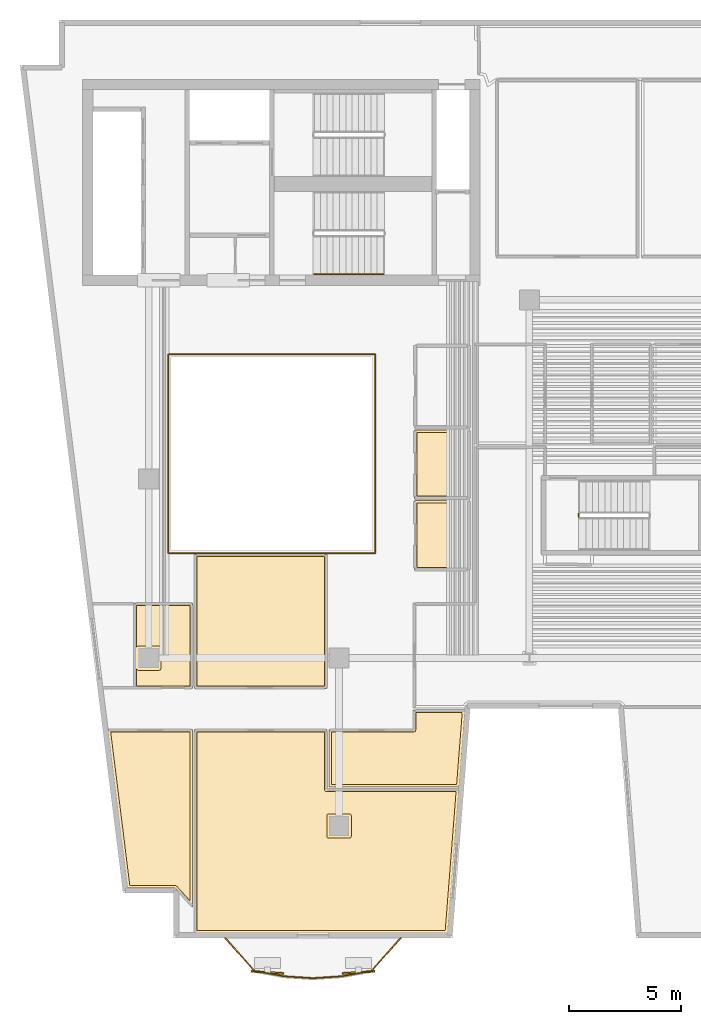
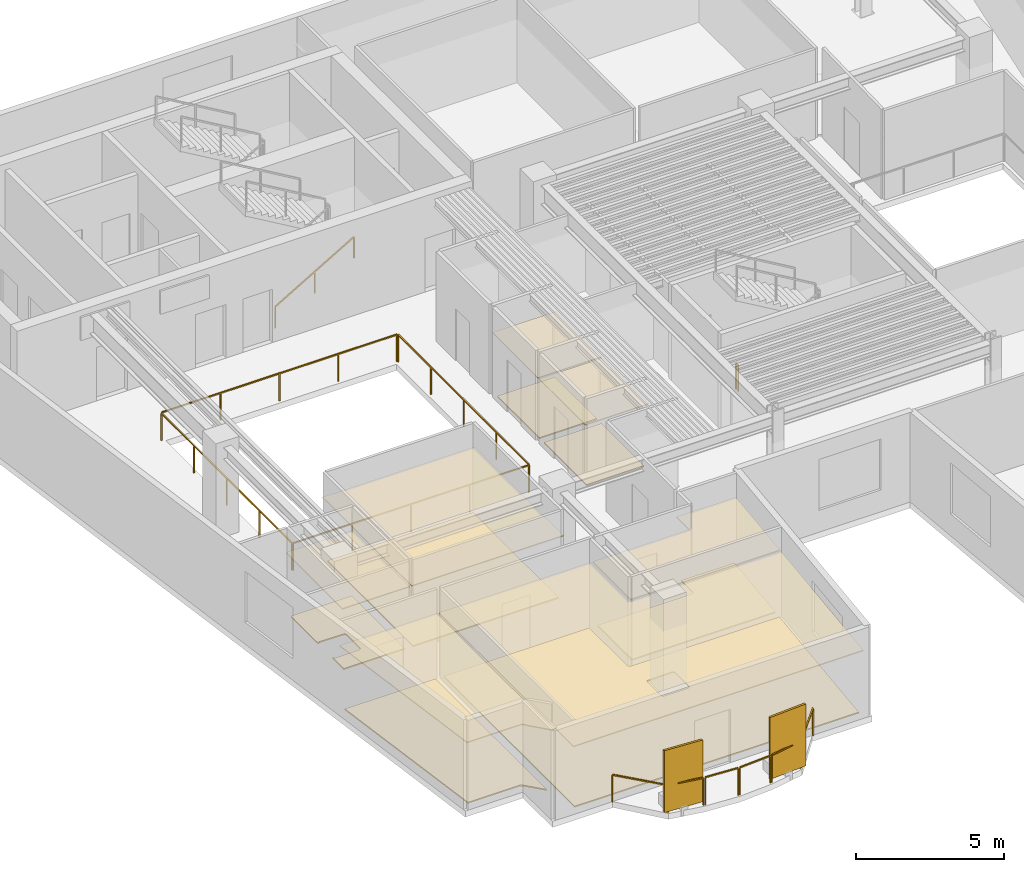
# One storey, part 7 of 9: 14 coverings, 12 railings, 2 shading devices.
"""IFC4 building model written with IfcOpenShell, lengths in metres."""

import ifcopenshell
import ifcopenshell.guid

model = None  # the IFC model being written
_history = None  # IfcOwnerHistory: only IFC2X3 demands one
_inside = {}  # id of a spatial element -> (the spatial element, [elements in it])
_under = {}  # id of a project, library or spatial element -> (it, [spatial elements below it])
_declared = {}  # id of a project -> (the project, [libraries it declares])
_typed = {}  # id of a type object -> (the type object, [elements of that type])
_made_of = {}  # id of a material, layer set ... -> (it, [elements and type objects made of it])


def new_model(schema):
    """Start an empty IFC model of exactly this schema.

    Asked for "IFC4X3", IfcOpenShell would pick the latest addendum, in which some entities
    have other attributes; the version numbers below select the first issue.
    IFC2X3 requires an IfcOwnerHistory on every rooted entity: one is made here for all.
    """
    global model, _history
    if schema == "IFC4X3":
        model = ifcopenshell.file(schema_version=(4, 3, 0, 0))
    else:
        model = ifcopenshell.file(schema=schema)
    _inside.clear()
    _under.clear()
    _declared.clear()
    _typed.clear()
    _made_of.clear()
    _history = None
    if model.schema == "IFC2X3":
        org = make("IfcOrganization", Name="unknown")
        user = make(
            "IfcPersonAndOrganization",
            ThePerson=make("IfcPerson", FamilyName="unknown"),
            TheOrganization=org,
        )
        app = make(
            "IfcApplication",
            ApplicationDeveloper=org,
            Version="unknown",
            ApplicationFullName="unknown",
            ApplicationIdentifier="unknown",
        )
        _history = make(
            "IfcOwnerHistory",
            OwningUser=user,
            OwningApplication=app,
            ChangeAction="ADDED",
            CreationDate=0,
        )
    return model


def make(cls, **values):
    """One entity of the class cls with the attributes given. An attribute that is None is left unset."""
    return model.create_entity(
        cls, **{name: value for name, value in values.items() if value is not None}
    )


def rooted(cls, **values):
    """An entity with a GlobalId (a new one), such as an element, a storey or a relation."""
    return make(cls, GlobalId=ifcopenshell.guid.new(), OwnerHistory=_history, **values)


def si_unit(unit_type, name, prefix=None):
    """IfcSIUnit, for example si_unit("LENGTHUNIT", "METRE", prefix="MILLI")."""
    return make("IfcSIUnit", UnitType=unit_type, Prefix=prefix, Name=name)


def assignment(units):
    """IfcUnitAssignment: the units of a project."""
    return None if units is None else make("IfcUnitAssignment", Units=units)


def point(xyz):
    """IfcCartesianPoint."""
    return None if xyz is None else make("IfcCartesianPoint", Coordinates=xyz)


def direction(xyz):
    """IfcDirection."""
    return None if xyz is None else make("IfcDirection", DirectionRatios=xyz)


def frame(location, z_axis=None, x_axis=None):
    """IfcAxis2Placement3D, a coordinate frame: its origin and axes. An axis left out is left unset."""
    return make(
        "IfcAxis2Placement3D",
        Location=point(location),
        Axis=direction(z_axis),
        RefDirection=direction(x_axis),
    )


def frame_2d(location, x_axis=None):
    """IfcAxis2Placement2D, a coordinate frame in the plane: its origin and x axis."""
    return make(
        "IfcAxis2Placement2D", Location=point(location), RefDirection=direction(x_axis)
    )


def origin():
    """The frame at (0, 0, 0) with its axes left unset."""
    return frame((0.0, 0.0, 0.0))


def origin_2d():
    """The frame at (0, 0) in the plane with its x axis left unset."""
    return frame_2d((0.0, 0.0))


def place(relative_to, where):
    """IfcLocalPlacement: puts the frame where relative to a parent placement (None: the world)."""
    return make(
        "IfcLocalPlacement", PlacementRelTo=relative_to, RelativePlacement=where
    )


def context(
    kind, dimensions, precision=None, world=None, true_north=None, identifier=None
):
    """IfcGeometricRepresentationContext, for example the 3D "Model" context."""
    return make(
        "IfcGeometricRepresentationContext",
        ContextIdentifier=identifier,
        ContextType=kind,
        CoordinateSpaceDimension=dimensions,
        Precision=precision,
        WorldCoordinateSystem=world,
        TrueNorth=true_north,
    )


def subcontext(parent, identifier, kind, view, scale=None):
    """IfcGeometricRepresentationSubContext, for example "Body" below "Model"."""
    return make(
        "IfcGeometricRepresentationSubContext",
        ContextIdentifier=identifier,
        ContextType=kind,
        ParentContext=parent,
        TargetScale=scale,
        TargetView=view,
    )


def project(units=None, contexts=None):
    """IfcProject with its units and contexts."""
    return rooted(
        "IfcProject",
        Name="project",
        RepresentationContexts=contexts,
        UnitsInContext=assignment(units),
    )


def spatial(cls, under=None, at=None, **own):
    """A site, building, storey or space (cls), placed at a placement, below another one or the project."""
    s = rooted(cls, ObjectPlacement=at, **own)
    if under is not None:
        _under.setdefault(under.id(), (under, []))[1].append(s)
    return s


def polyline(points):
    """IfcPolyline through the points."""
    return make("IfcPolyline", Points=[point(p) for p in points])


def profile(cls, at=None, kind="AREA", **sizes):
    """A parametric profile (cls). Its sizes go by their IFC names, for example OverallWidth=200.0."""
    return make(cls, ProfileType=kind, Position=at, **sizes)


def rectangle(**sizes):
    """IfcRectangleProfileDef."""
    return profile("IfcRectangleProfileDef", **sizes)


def outline(outer, holes=None, kind="AREA"):
    """IfcArbitraryClosedProfileDef: a profile drawn as a closed curve; with holes, ...WithVoids."""
    if holes is None:
        return make("IfcArbitraryClosedProfileDef", ProfileType=kind, OuterCurve=outer)
    return make(
        "IfcArbitraryProfileDefWithVoids",
        ProfileType=kind,
        OuterCurve=outer,
        InnerCurves=holes,
    )


def extrude(swept, where, along, depth):
    """IfcExtrudedAreaSolid: the profile swept, set in the frame where, extruded along a direction by depth."""
    return make(
        "IfcExtrudedAreaSolid",
        SweptArea=swept,
        Position=where,
        ExtrudedDirection=direction(along),
        Depth=depth,
    )


def shape(context_of_items, identifier, shape_type, items):
    """IfcShapeRepresentation: the items that make up one representation, for example the "Body"."""
    return make(
        "IfcShapeRepresentation",
        ContextOfItems=context_of_items,
        RepresentationIdentifier=identifier,
        RepresentationType=shape_type,
        Items=items,
    )


def material(Name=None, Category=None):
    """IfcMaterial."""
    return make("IfcMaterial", Name=Name, Category=Category)


def layer(
    of_material, thickness, ventilated=None, Name=None, Category=None, Priority=None
):
    """IfcMaterialLayer: one layer of a wall or slab, of a material (None: an air gap)."""
    return make(
        "IfcMaterialLayer",
        Material=of_material,
        LayerThickness=thickness,
        IsVentilated=ventilated,
        Name=Name,
        Category=Category,
        Priority=Priority,
    )


def layer_set(layers, Name=None):
    """IfcMaterialLayerSet."""
    return make("IfcMaterialLayerSet", MaterialLayers=layers, LayerSetName=Name)


def made_of(thing, what):
    """Note that an element or type object is made of a material, layer set ...; save() writes the relation."""
    if what is not None:
        _made_of.setdefault(what.id(), (what, []))[1].append(thing)
    return thing


def type_object(cls, material=None, **own):
    """A type object (cls), such as IfcWallType, which elements share."""
    return made_of(rooted(cls, **own), material)


def element(
    cls,
    number,
    at=None,
    inside=None,
    cuts=None,
    type_object=None,
    material=None,
    context=None,
    identifier="Body",
    shape_type=None,
    held_by="IfcProductDefinitionShape",
    body=None,
    shapes=None,
    **own,
):
    """One element of the class cls, such as IfcWall. Its Tag is "e" and its number.

    at: its placement. inside: the storey or other place that contains it. cuts: it is an
    opening in that element (IfcRelVoidsElement). A single representation is given by context,
    identifier, shape_type and body (its items); several are given by shapes. held_by: the class
    of the entity that holds the representations. save() writes the other relations.
    """
    e = rooted(cls, Tag="e%d" % number, ObjectPlacement=at, **own)
    if body is not None:
        shapes = [shape(context, identifier, shape_type, body)]
    if shapes is not None:
        e.Representation = make(held_by, Representations=shapes)
    if inside is not None:
        _inside.setdefault(inside.id(), (inside, []))[1].append(e)
    if cuts is not None:
        rooted(
            "IfcRelVoidsElement", RelatingBuildingElement=cuts, RelatedOpeningElement=e
        )
    if type_object is not None:
        _typed.setdefault(type_object.id(), (type_object, []))[1].append(e)
    return made_of(e, material)


def aggregate(whole, parts):
    """IfcRelAggregates: a whole, such as a stair, and the parts it consists of."""
    return rooted("IfcRelAggregates", RelatingObject=whole, RelatedObjects=parts)


def save(model, path):
    """Write the relations noted so far, then the file.

    IfcRelAggregates (storeys below a building ...), IfcRelContainedInSpatialStructure (elements
    in a storey), IfcRelDefinesByType, IfcRelAssociatesMaterial and IfcRelDeclares: one each for
    every whole, place, type object, material and project.
    """
    for whole, parts in _under.values():
        aggregate(whole, parts)
    for where, things in _inside.values():
        rooted(
            "IfcRelContainedInSpatialStructure",
            RelatedElements=things,
            RelatingStructure=where,
        )
    for kind, things in _typed.values():
        rooted("IfcRelDefinesByType", RelatedObjects=things, RelatingType=kind)
    for what, things in _made_of.values():
        rooted("IfcRelAssociatesMaterial", RelatedObjects=things, RelatingMaterial=what)
    for by, libraries in _declared.values():
        rooted("IfcRelDeclares", RelatingContext=by, RelatedDefinitions=libraries)
    model.write(path)


model = new_model("IFC4")

# Units and contexts
model_context = context("Model", 3, precision=1e-05, world=origin(), true_north=direction((0.0, 1.0)))
body_context = subcontext(model_context, "Body", "Model", "MODEL_VIEW")
ifc_project = project(units=[si_unit("LENGTHUNIT", "METRE"), si_unit("AREAUNIT", "SQUARE_METRE"), si_unit("VOLUMEUNIT", "CUBIC_METRE"), si_unit("PLANEANGLEUNIT", "RADIAN"), si_unit("MASSUNIT", "GRAM", prefix="KILO")], contexts=[model_context])

# Site, building, storey
site_placement = place(None, origin())
site = spatial("IfcSite", under=ifc_project, at=site_placement, CompositionType="ELEMENT")
building_placement = place(site_placement, origin())
building = spatial("IfcBuilding", under=site, at=building_placement, Name="Caeloran Harvest Quay", CompositionType="ELEMENT")
storey_placement = place(building_placement, frame((0.0, 0.0, 227.199951171875)))
storey = spatial("IfcBuildingStorey", under=building, at=storey_placement, Name="L54", CompositionType="ELEMENT", Elevation=227.199951171875)

# Coverings
ifc_material_1 = material(Name="Perforated Mineral-Fibre Acoustic Ceiling Tile", Category="ceiling")
ifc_layer_1 = layer(ifc_material_1, 0.0400390625, Name="Perforated Mineral-Fibre Acoustic Ceiling Tile")
ifc_layer_set_1 = layer_set([ifc_layer_1], Name="Perforated Mineral-Fibre Acoustic Ceiling Tile")
covering_type_1 = type_object("IfcCoveringType", Name="COV-CEILING-ACOUSTIC", PredefinedType="CEILING", material=ifc_layer_set_1)
covering_1_placement = place(storey_placement, frame((0.0, 0.0, 2.60009765625)))
element("IfcCovering", 1, at=covering_1_placement, inside=storey, type_object=covering_type_1, Name="L54 Female Washroom WC Acoustic Ceiling", PredefinedType="CEILING", context=body_context, shape_type="SweptSolid", body=[
    extrude(outline(polyline([(22.840087890625, 25.18994140625), (22.840087890625, 22.110107421875), (20.360107421875, 22.110107421875), (20.360107421875, 25.18994140625), (22.840087890625, 25.18994140625)])), origin(), (0.0, 0.0, 1.0), 0.0400390625),
])
covering_2_placement = place(storey_placement, frame((0.0, 0.0, 2.60009765625)))
element("IfcCovering", 2, at=covering_2_placement, inside=storey, type_object=covering_type_1, Name="L54 Accessible Unisex Washroom WC Acoustic Ceiling", PredefinedType="CEILING", context=body_context, shape_type="SweptSolid", body=[
    extrude(outline(polyline([(22.840087890625, 22.0400390625), (22.840087890625, 18.919921875), (20.360107421875, 18.919921875), (20.360107421875, 22.0400390625), (22.840087890625, 22.0400390625)])), origin(), (0.0, 0.0, 1.0), 0.0400390625),
])
covering_3_placement = place(storey_placement, frame((0.0, 0.0, 2.60009765625)))
element("IfcCovering", 3, at=covering_3_placement, inside=storey, type_object=covering_type_1, Name="Clean-Tech Venture Studio Acoustic Ceiling", PredefinedType="CEILING", context=body_context, shape_type="SweptSolid", body=[
    extrude(outline(polyline([(16.4599609375, 11.81005859375), (16.4599609375, 9.159912109375), (22.356201171875, 9.159912109375), (21.853515625, 2.719970703125), (10.5400390625, 2.719970703125), (10.5400390625, 11.81005859375), (16.4599609375, 11.81005859375)])), origin(), (0.0, 0.0, 1.0), 0.0400390625),
])
covering_4_placement = place(storey_placement, frame((0.0, 0.0, 2.60009765625)))
element("IfcCovering", 4, at=covering_4_placement, inside=storey, type_object=covering_type_1, Name="Portfolio Catering Kitchen Acoustic Ceiling", PredefinedType="CEILING", context=body_context, shape_type="SweptSolid", body=[
    extrude(outline(polyline([(10.4599609375, 11.81005859375), (10.4599609375, 3.851806640625), (9.812744140625, 4.56591796875), (9.77294921875, 4.639404296875), (9.673095703125, 4.719970703125), (7.54833984375, 4.719970703125), (6.666015625, 11.81005859375), (10.4599609375, 11.81005859375)])), origin(), (0.0, 0.0, 1.0), 0.0400390625),
])
covering_5_placement = place(storey_placement, frame((0.0, 0.0, 2.60009765625)))
element("IfcCovering", 5, at=covering_5_placement, inside=storey, type_object=covering_type_1, Name="Due-Diligence Meeting Hall Acoustic Ceiling", PredefinedType="CEILING", context=body_context, shape_type="SweptSolid", body=[
    extrude(outline(polyline([(20.31005859375, 11.81005859375), (20.31005859375, 12.679931640625), (22.630859375, 12.679931640625), (22.3623046875, 9.239990234375), (16.5400390625, 9.239990234375), (16.5400390625, 11.81005859375), (20.31005859375, 11.81005859375)])), origin(), (0.0, 0.0, 1.0), 0.0400390625),
])
covering_6_placement = place(storey_placement, frame((0.0, 0.0, 2.60009765625)))
element("IfcCovering", 6, at=covering_6_placement, inside=storey, type_object=covering_type_1, Name="General Partner Corner Office Acoustic Ceiling", PredefinedType="CEILING", context=body_context, shape_type="SweptSolid", body=[
    extrude(outline(polyline([(7.840087890625, 13.639892578125), (7.840087890625, 17.4599609375), (10.4599609375, 17.4599609375), (10.4599609375, 13.639892578125), (7.840087890625, 13.639892578125)])), origin(), (0.0, 0.0, 1.0), 0.0400390625),
])
covering_7_placement = place(storey_placement, frame((0.0, 0.0, 2.60009765625)))
element("IfcCovering", 7, at=covering_7_placement, inside=storey, type_object=covering_type_1, Name="Board Conference Room Acoustic Ceiling", PredefinedType="CEILING", context=body_context, shape_type="SweptSolid", body=[
    extrude(outline(polyline([(16.4599609375, 19.659912109375), (16.4599609375, 13.639892578125), (10.5400390625, 13.639892578125), (10.5400390625, 19.659912109375), (16.4599609375, 19.659912109375)])), origin(), (0.0, 0.0, 1.0), 0.0400390625),
])
ifc_material_2 = material(Name="Calcium-Sulphate Raised Access Floor and Terrazzo Finish", Category="flooring")
ifc_layer_2 = layer(ifc_material_2, 0.050048828125, Name="Calcium-Sulphate Raised Access Floor and Terrazzo Finish")
ifc_layer_set_2 = layer_set([ifc_layer_2], Name="Calcium-Sulphate Raised Access Floor and Terrazzo Finish")
covering_type_2 = type_object("IfcCoveringType", Name="COV-FLOOR-RAISED", PredefinedType="FLOORING", material=ifc_layer_set_2)
covering_8_placement = place(storey_placement, origin())
element("IfcCovering", 8, at=covering_8_placement, inside=storey, type_object=covering_type_2, Name="L54 Female Washroom WC Raised Finish Flooring", PredefinedType="FLOORING", context=body_context, shape_type="SweptSolid", body=[
    extrude(outline(polyline([(22.719970703125, 25.070068359375), (22.719970703125, 22.22998046875), (20.47998046875, 22.22998046875), (20.47998046875, 25.070068359375), (22.719970703125, 25.070068359375)])), origin(), (0.0, 0.0, 1.0), 0.050048828125),
])
covering_9_placement = place(storey_placement, origin())
element("IfcCovering", 9, at=covering_9_placement, inside=storey, type_object=covering_type_2, Name="L54 Accessible Unisex Washroom WC Raised Finish Flooring", PredefinedType="FLOORING", context=body_context, shape_type="SweptSolid", body=[
    extrude(outline(polyline([(22.719970703125, 21.919921875), (22.719970703125, 19.0400390625), (20.47998046875, 19.0400390625), (20.47998046875, 21.919921875), (22.719970703125, 21.919921875)])), origin(), (0.0, 0.0, 1.0), 0.050048828125),
])
covering_10_placement = place(storey_placement, origin())
element("IfcCovering", 10, at=covering_10_placement, inside=storey, type_object=covering_type_2, Name="Clean-Tech Venture Studio Raised Finish Flooring", PredefinedType="FLOORING", context=body_context, shape_type="SweptSolid", body=[
    extrude(outline(polyline([(10.659912109375, 11.68994140625), (16.340087890625, 11.68994140625), (16.340087890625, 9.1201171875), (16.404296875, 9.04150390625), (22.226318359375, 9.0400390625), (21.742431640625, 2.840087890625), (10.659912109375, 2.840087890625), (10.659912109375, 11.68994140625)]), holes=[polyline([(17.465087890625, 8.044921875), (16.484130859375, 8.02685546875), (16.455322265625, 7.972900390625), (16.455078125, 7.034912109375), (16.478515625, 6.978515625), (16.534912109375, 6.955078125), (17.465087890625, 6.955078125), (17.521484375, 6.978515625), (17.544921875, 7.034912109375), (17.544921875, 7.965087890625), (17.521484375, 8.021484375), (17.465087890625, 8.044921875)])]), origin(), (0.0, 0.0, 1.0), 0.050048828125),
])
covering_11_placement = place(storey_placement, origin())
element("IfcCovering", 11, at=covering_11_placement, inside=storey, type_object=covering_type_2, Name="Portfolio Catering Kitchen Raised Finish Flooring", PredefinedType="FLOORING", context=body_context, shape_type="SweptSolid", body=[
    extrude(outline(polyline([(9.76220703125, 4.80029296875), (9.69091796875, 4.840087890625), (7.654296875, 4.840087890625), (6.8017578125, 11.68994140625), (10.340087890625, 11.68994140625), (10.340087890625, 4.162841796875), (9.76220703125, 4.80029296875)])), origin(), (0.0, 0.0, 1.0), 0.050048828125),
])
covering_12_placement = place(storey_placement, origin())
element("IfcCovering", 12, at=covering_12_placement, inside=storey, type_object=covering_type_2, Name="Due-Diligence Meeting Hall Raised Finish Flooring", PredefinedType="FLOORING", context=body_context, shape_type="SweptSolid", body=[
    extrude(outline(polyline([(20.34814453125, 11.693603515625), (20.402587890625, 11.727294921875), (20.4296875, 11.793212890625), (20.429931640625, 12.56005859375), (22.501220703125, 12.56005859375), (22.25146484375, 9.360107421875), (16.659912109375, 9.360107421875), (16.659912109375, 11.68994140625), (20.34814453125, 11.693603515625)])), origin(), (0.0, 0.0, 1.0), 0.050048828125),
])
covering_13_placement = place(storey_placement, origin())
element("IfcCovering", 13, at=covering_13_placement, inside=storey, type_object=covering_type_2, Name="General Partner Corner Office Raised Finish Flooring", PredefinedType="FLOORING", context=body_context, shape_type="SweptSolid", body=[
    extrude(outline(polyline([(7.9599609375, 14.50732421875), (8.027099609375, 14.455322265625), (8.965087890625, 14.455078125), (9.021484375, 14.478515625), (9.044921875, 14.534912109375), (9.044921875, 15.465087890625), (9.015869140625, 15.52685546875), (8.034912109375, 15.544921875), (7.9599609375, 15.49267578125), (7.9599609375, 17.340087890625), (10.340087890625, 17.340087890625), (10.340087890625, 13.760009765625), (7.9599609375, 13.760009765625), (7.9599609375, 14.50732421875)])), origin(), (0.0, 0.0, 1.0), 0.050048828125),
])
covering_14_placement = place(storey_placement, origin())
element("IfcCovering", 14, at=covering_14_placement, inside=storey, type_object=covering_type_2, Name="Board Conference Room Raised Finish Flooring", PredefinedType="FLOORING", context=body_context, shape_type="SweptSolid", body=[
    extrude(outline(polyline([(16.340087890625, 19.5400390625), (16.340087890625, 13.760009765625), (10.659912109375, 13.760009765625), (10.659912109375, 19.5400390625), (16.340087890625, 19.5400390625)])), origin(), (0.0, 0.0, 1.0), 0.050048828125),
])

# Railings
ifc_material_3 = material(Name="Powder-Coated Steel Post and Laminated Glass Guardrail", Category="steel")
ifc_layer_3 = layer(ifc_material_3, 0.06005859375, Name="Powder-Coated Steel Post and Laminated Glass Guardrail")
ifc_layer_set_3 = layer_set([ifc_layer_3], Name="Powder-Coated Steel Post and Laminated Glass Guardrail")
railing_type_1 = type_object("IfcRailingType", Name="GUARD-ATRIUM-1150", PredefinedType="GUARDRAIL", material=ifc_layer_set_3)
railing_1_placement = place(storey_placement, frame((9.412109375, 19.679931640625, 0.0)))
element("IfcRailing", 15, at=railing_1_placement, inside=storey, type_object=railing_type_1, Name="L54 Skylit Atrium Void Perimeter Guardrail Seg 1", PredefinedType="GUARDRAIL", context=body_context, shape_type="SweptSolid", body=[
    extrude(rectangle(XDim=0.048095703125, YDim=0.048095703125, at=origin_2d()), frame((0.0, 0.0, 1.1259765625), z_axis=(1.0, 0.0, 0.0), x_axis=(0.0, 1.0, 0.0)), (0.0, 0.0, 1.0), 9.17578125),
    extrude(rectangle(XDim=0.0419921875, YDim=0.0419921875, at=origin_2d()), origin(), (0.0, 0.0, 1.0), 1.101806640625),
    extrude(rectangle(XDim=0.0419921875, YDim=0.0419921875, at=origin_2d()), frame((2.2939453125, 0.0, 0.0)), (0.0, 0.0, 1.0), 1.101806640625),
    extrude(rectangle(XDim=0.0419921875, YDim=0.0419921875, at=origin_2d()), frame((4.587890625, 0.0, 0.0)), (0.0, 0.0, 1.0), 1.101806640625),
    extrude(rectangle(XDim=0.0419921875, YDim=0.0419921875, at=origin_2d()), frame((6.8818359375, 0.0, 0.0)), (0.0, 0.0, 1.0), 1.101806640625),
    extrude(rectangle(XDim=0.0419921875, YDim=0.0419921875, at=origin_2d()), frame((9.17578125, 0.0, 0.0)), (0.0, 0.0, 1.0), 1.101806640625),
])
railing_2_placement = place(storey_placement, frame((18.6201171875, 19.7119140625, 0.0)))
element("IfcRailing", 16, at=railing_2_placement, inside=storey, type_object=railing_type_1, Name="L54 Skylit Atrium Void Perimeter Guardrail Seg 2", PredefinedType="GUARDRAIL", context=body_context, shape_type="SweptSolid", body=[
    extrude(rectangle(XDim=0.048095703125, YDim=0.048095703125, at=origin_2d()), frame((0.0, 0.0, 1.1259765625), z_axis=(0.0, 1.0, 0.0), x_axis=(-1.0, 0.0, 0.0)), (0.0, 0.0, 1.0), 8.826171875),
    extrude(rectangle(XDim=0.0419921875, YDim=0.0419921875, at=origin_2d()), origin(), (0.0, 0.0, 1.0), 1.101806640625),
    extrude(rectangle(XDim=0.0419921875, YDim=0.0419921875, at=origin_2d()), frame((0.0, 2.20654296875, 0.0)), (0.0, 0.0, 1.0), 1.101806640625),
    extrude(rectangle(XDim=0.0419921875, YDim=0.0419921875, at=origin_2d()), frame((0.0, 4.4130859375, 0.0)), (0.0, 0.0, 1.0), 1.101806640625),
    extrude(rectangle(XDim=0.0419921875, YDim=0.0419921875, at=origin_2d()), frame((0.0, 6.61962890625, 0.0)), (0.0, 0.0, 1.0), 1.101806640625),
    extrude(rectangle(XDim=0.0419921875, YDim=0.0419921875, at=origin_2d()), frame((0.0, 8.826171875, 0.0)), (0.0, 0.0, 1.0), 1.101806640625),
])
railing_3_placement = place(storey_placement, frame((18.587890625, 28.570068359375, 0.0)))
element("IfcRailing", 17, at=railing_3_placement, inside=storey, type_object=railing_type_1, Name="L54 Skylit Atrium Void Perimeter Guardrail Seg 3", PredefinedType="GUARDRAIL", context=body_context, shape_type="SweptSolid", body=[
    extrude(rectangle(XDim=0.048095703125, YDim=0.048095703125, at=origin_2d()), frame((0.0, 0.0, 1.1259765625), z_axis=(-1.0, 0.0, 0.0), x_axis=(0.0, -1.0, 0.0)), (0.0, 0.0, 1.0), 9.17578125),
    extrude(rectangle(XDim=0.0419921875, YDim=0.0419921875, at=origin_2d()), origin(), (0.0, 0.0, 1.0), 1.101806640625),
    extrude(rectangle(XDim=0.0419921875, YDim=0.0419921875, at=origin_2d()), frame((-2.2939453125, 0.0, 0.0)), (0.0, 0.0, 1.0), 1.101806640625),
    extrude(rectangle(XDim=0.0419921875, YDim=0.0419921875, at=origin_2d()), frame((-4.587890625, 0.0, 0.0)), (0.0, 0.0, 1.0), 1.101806640625),
    extrude(rectangle(XDim=0.0419921875, YDim=0.0419921875, at=origin_2d()), frame((-6.8818359375, 0.0, 0.0)), (0.0, 0.0, 1.0), 1.101806640625),
    extrude(rectangle(XDim=0.0419921875, YDim=0.0419921875, at=origin_2d()), frame((-9.17578125, 0.0, 0.0)), (0.0, 0.0, 1.0), 1.101806640625),
])
railing_4_placement = place(storey_placement, frame((9.3798828125, 28.5380859375, 0.0)))
element("IfcRailing", 18, at=railing_4_placement, inside=storey, type_object=railing_type_1, Name="L54 Skylit Atrium Void Perimeter Guardrail Seg 4", PredefinedType="GUARDRAIL", context=body_context, shape_type="SweptSolid", body=[
    extrude(rectangle(XDim=0.048095703125, YDim=0.048095703125, at=origin_2d()), frame((0.0, 0.0, 1.1259765625), z_axis=(0.0, -1.0, 0.0), x_axis=(1.0, 0.0, 0.0)), (0.0, 0.0, 1.0), 8.826171875),
    extrude(rectangle(XDim=0.0419921875, YDim=0.0419921875, at=origin_2d()), origin(), (0.0, 0.0, 1.0), 1.101806640625),
    extrude(rectangle(XDim=0.0419921875, YDim=0.0419921875, at=origin_2d()), frame((0.0, -2.20654296875, 0.0)), (0.0, 0.0, 1.0), 1.101806640625),
    extrude(rectangle(XDim=0.0419921875, YDim=0.0419921875, at=origin_2d()), frame((0.0, -4.4130859375, 0.0)), (0.0, 0.0, 1.0), 1.101806640625),
    extrude(rectangle(XDim=0.0419921875, YDim=0.0419921875, at=origin_2d()), frame((0.0, -6.61962890625, 0.0)), (0.0, 0.0, 1.0), 1.101806640625),
    extrude(rectangle(XDim=0.0419921875, YDim=0.0419921875, at=origin_2d()), frame((0.0, -8.826171875, 0.0)), (0.0, 0.0, 1.0), 1.101806640625),
])
ifc_material_4 = material(Name="Laminated Safety Glass and Stainless Steel 316", Category="steel")
ifc_layer_4 = layer(ifc_material_4, 0.06005859375, Name="Laminated Safety Glass and Stainless Steel 316")
ifc_layer_set_4 = layer_set([ifc_layer_4], Name="Laminated Safety Glass and Stainless Steel 316")
railing_type_2 = type_object("IfcRailingType", Name="GUARD-BALUSTRADE-1150", PredefinedType="BALUSTRADE", material=ifc_layer_set_4)
railing_5_placement = place(storey_placement, frame((19.74609375, 2.47998046875, 0.0)))
element("IfcRailing", 19, at=railing_5_placement, inside=storey, type_object=railing_type_2, Name="L54 Planted Balcony Perimeter Balustrade Guard Seg 1", PredefinedType="BALUSTRADE", context=body_context, shape_type="SweptSolid", body=[
    extrude(rectangle(XDim=0.048095703125, YDim=0.048095703125, at=origin_2d()), frame((0.0, 0.0, 1.1259765625), z_axis=(-0.667362846142, -0.744732724935, 0.0), x_axis=(0.744732724935, -0.667362846142, 0.0)), (0.0, 0.0, 1.0), 1.921630859375),
    extrude(rectangle(XDim=0.0419921875, YDim=0.0419921875, at=origin_2d()), origin(), (0.0, 0.0, 1.0), 1.101806640625),
    extrude(rectangle(XDim=0.0419921875, YDim=0.0419921875, at=origin_2d()), frame((-1.282470703125, -1.43115234375, 0.0)), (0.0, 0.0, 1.0), 1.101806640625),
])
railing_6_placement = place(storey_placement, frame((18.41064453125, 1.019287109375, 0.0)))
element("IfcRailing", 20, at=railing_6_placement, inside=storey, type_object=railing_type_2, Name="L54 Planted Balcony Perimeter Balustrade Guard Seg 2", PredefinedType="BALUSTRADE", context=body_context, shape_type="SweptSolid", body=[
    extrude(rectangle(XDim=0.048095703125, YDim=0.048095703125, at=origin_2d()), frame((0.0, 0.0, 1.1259765625), z_axis=(-0.983733349862, -0.179634897417, 0.0), x_axis=(0.179634897417, -0.983733349862, 0.0)), (0.0, 0.0, 1.0), 1.26123046875),
    extrude(rectangle(XDim=0.0419921875, YDim=0.0419921875, at=origin_2d()), origin(), (0.0, 0.0, 1.0), 1.101806640625),
    extrude(rectangle(XDim=0.0419921875, YDim=0.0419921875, at=origin_2d()), frame((-1.24072265625, -0.2265625, 0.0)), (0.0, 0.0, 1.0), 1.101806640625),
])
railing_7_placement = place(storey_placement, frame((17.1064453125, 0.784912109375, 0.0)))
element("IfcRailing", 21, at=railing_7_placement, inside=storey, type_object=railing_type_2, Name="L54 Planted Balcony Perimeter Balustrade Guard Seg 3", PredefinedType="BALUSTRADE", context=body_context, shape_type="SweptSolid", body=[
    extrude(rectangle(XDim=0.048095703125, YDim=0.048095703125, at=origin_2d()), frame((0.0, 0.0, 1.1259765625), z_axis=(-0.997779939249, -0.066597243435, 0.0), x_axis=(0.066597243435, -0.997779939249, 0.0)), (0.0, 0.0, 1.0), 1.24267578125),
    extrude(rectangle(XDim=0.0419921875, YDim=0.0419921875, at=origin_2d()), origin(), (0.0, 0.0, 1.0), 1.101806640625),
    extrude(rectangle(XDim=0.0419921875, YDim=0.0419921875, at=origin_2d()), frame((-1.239990234375, -0.082763671875, 0.0)), (0.0, 0.0, 1.0), 1.101806640625),
])
railing_8_placement = place(storey_placement, frame((15.802490234375, 0.7021484375, 0.0)))
element("IfcRailing", 22, at=railing_8_placement, inside=storey, type_object=railing_type_2, Name="L54 Planted Balcony Perimeter Balustrade Guard Seg 4", PredefinedType="BALUSTRADE", context=body_context, shape_type="SweptSolid", body=[
    extrude(rectangle(XDim=0.048095703125, YDim=0.048095703125, at=origin_2d()), frame((0.0, 0.0, 1.1259765625), z_axis=(-0.997779939249, 0.066597243435, 0.0), x_axis=(-0.066597243435, -0.997779939249, 0.0)), (0.0, 0.0, 1.0), 1.24267578125),
    extrude(rectangle(XDim=0.0419921875, YDim=0.0419921875, at=origin_2d()), origin(), (0.0, 0.0, 1.0), 1.101806640625),
    extrude(rectangle(XDim=0.0419921875, YDim=0.0419921875, at=origin_2d()), frame((-1.239990234375, 0.082763671875, 0.0)), (0.0, 0.0, 1.0), 1.101806640625),
])
railing_9_placement = place(storey_placement, frame((14.499267578125, 0.792724609375, 0.0)))
element("IfcRailing", 23, at=railing_9_placement, inside=storey, type_object=railing_type_2, Name="L54 Planted Balcony Perimeter Balustrade Guard Seg 5", PredefinedType="BALUSTRADE", context=body_context, shape_type="SweptSolid", body=[
    extrude(rectangle(XDim=0.048095703125, YDim=0.048095703125, at=origin_2d()), frame((0.0, 0.0, 1.1259765625), z_axis=(-0.983739594397, 0.179600697147, 0.0), x_axis=(-0.179600697147, -0.983739594397, 0.0)), (0.0, 0.0, 1.0), 1.261474609375),
    extrude(rectangle(XDim=0.0419921875, YDim=0.0419921875, at=origin_2d()), origin(), (0.0, 0.0, 1.0), 1.101806640625),
    extrude(rectangle(XDim=0.0419921875, YDim=0.0419921875, at=origin_2d()), frame((-1.240966796875, 0.2265625, 0.0)), (0.0, 0.0, 1.0), 1.101806640625),
])
railing_10_placement = place(storey_placement, frame((13.205322265625, 1.048828125, 0.0)))
element("IfcRailing", 24, at=railing_10_placement, inside=storey, type_object=railing_type_2, Name="L54 Planted Balcony Perimeter Balustrade Guard Seg 6", PredefinedType="BALUSTRADE", context=body_context, shape_type="SweptSolid", body=[
    extrude(rectangle(XDim=0.048095703125, YDim=0.048095703125, at=origin_2d()), frame((0.0, 0.0, 1.1259765625), z_axis=(-0.667292375094, 0.744795868773, 0.0), x_axis=(-0.744795868773, -0.667292375094, 0.0)), (0.0, 0.0, 1.0), 1.921630859375),
    extrude(rectangle(XDim=0.0419921875, YDim=0.0419921875, at=origin_2d()), origin(), (0.0, 0.0, 1.0), 1.101806640625),
    extrude(rectangle(XDim=0.0419921875, YDim=0.0419921875, at=origin_2d()), frame((-1.2822265625, 1.43115234375, 0.0)), (0.0, 0.0, 1.0), 1.101806640625),
])

# Shading devices
ifc_material_5 = material(Name="3003-H14 Perforated Powder-Coated Aluminium", Category="aluminium")
shading_device_type = type_object("IfcShadingDeviceType", Name="SHADE-SCREEN-FOLDED", PredefinedType="USERDEFINED", material=ifc_material_5)
for number, where, z_axis, x_axis, name in (
    (25, (17.868408203125, 0.9599609375, 0.0751953125), (0.0, 0.0, 1.0), (0.997801468292, 0.0662739004, 0.0), "L54 Folded Facade Breathing Screen 1"),
    (26, (13.800537109375, 0.9599609375, 0.0751953125), (0.0, 0.0, 1.0), (0.997801468292, -0.0662739004, 0.0), "L54 Folded Facade Breathing Screen 2"),
):
    element("IfcShadingDevice", number, at=place(storey_placement, frame(where, z_axis=z_axis, x_axis=x_axis)), inside=storey, type_object=shading_device_type, Name=name, ObjectType="SCREEN", PredefinedType="USERDEFINED", context=body_context, shape_type="SweptSolid", body=[
        extrude(rectangle(XDim=1.449951171875, YDim=0.080078125, at=origin_2d()), origin(), (0.0, 0.0, 1.0), 2.550048828125),
    ])

# Railings
ifc_material_6 = material(Name="Painted Steel Baluster and Top-Rail Stair Guard", Category="steel")
ifc_layer_5 = layer(ifc_material_6, 0.050048828125, Name="Painted Steel Baluster and Top-Rail Stair Guard")
ifc_layer_set_5 = layer_set([ifc_layer_5], Name="Painted Steel Baluster and Top-Rail Stair Guard")
railing_type_3 = type_object("IfcRailingType", Name="STAIR-GUARD-1100", PredefinedType="GUARDRAIL", material=ifc_layer_set_5)
railing_11_placement = place(storey_placement, frame((27.699951171875, 21.300048828125, 0.0)))
element("IfcRailing", 27, at=railing_11_placement, inside=storey, type_object=railing_type_3, Name="L54 ST-W1 stair guard 4", PredefinedType="GUARDRAIL", context=body_context, shape_type="SweptSolid", body=[
    extrude(rectangle(XDim=0.048095703125, YDim=0.048095703125, at=origin_2d()), frame((0.0, 0.0, 1.076171875), z_axis=(0.0, 1.0, 0.0), x_axis=(-1.0, 0.0, 0.0)), (0.0, 0.0, 1.0), 0.14990234375),
    extrude(rectangle(XDim=0.0419921875, YDim=0.0419921875, at=origin_2d()), origin(), (0.0, 0.0, 1.0), 1.052001953125),
    extrude(rectangle(XDim=0.0419921875, YDim=0.0419921875, at=origin_2d()), frame((0.0, 0.14990234375, 0.0)), (0.0, 0.0, 1.0), 1.052001953125),
])
ifc_material_7 = material(Name="Brushed Stainless Steel Grade 304", Category="steel")
ifc_layer_6 = layer(ifc_material_7, 0.050048828125, Name="Brushed Stainless Steel Grade 304")
ifc_layer_set_6 = layer_set([ifc_layer_6], Name="Brushed Stainless Steel Grade 304")
railing_type_4 = type_object("IfcRailingType", Name="STAIR-HANDRAIL-900", PredefinedType="HANDRAIL", material=ifc_layer_set_6)
railing_12_placement = place(storey_placement, frame((15.89990234375, 32.14990234375, 0.16455078125)))
element("IfcRailing", 28, at=railing_12_placement, inside=storey, type_object=railing_type_4, Name="L54 ST-C2 stair handrail 1", PredefinedType="HANDRAIL", context=body_context, shape_type="SweptSolid", body=[
    extrude(rectangle(XDim=0.048095703125, YDim=0.048095703125, at=origin_2d()), frame((0.0, 0.0, 0.8759765625), z_axis=(0.862088758681, 0.0, 0.506757310905), x_axis=(0.0, 1.0, 0.0)), (0.0, 0.0, 1.0), 3.57275390625),
    extrude(rectangle(XDim=0.0419921875, YDim=0.0419921875, at=origin_2d()), origin(), (0.0, 0.0, 1.0), 0.851806640625),
    extrude(rectangle(XDim=0.0419921875, YDim=0.0419921875, at=origin_2d()), frame((1.5400390625, 0.0, 0.9052734375)), (0.0, 0.0, 1.0), 0.851806640625),
    extrude(rectangle(XDim=0.0419921875, YDim=0.0419921875, at=origin_2d()), frame((3.080078125, 0.0, 1.810546875)), (0.0, 0.0, 1.0), 0.851806640625),
])

save(model, "model.ifc")
